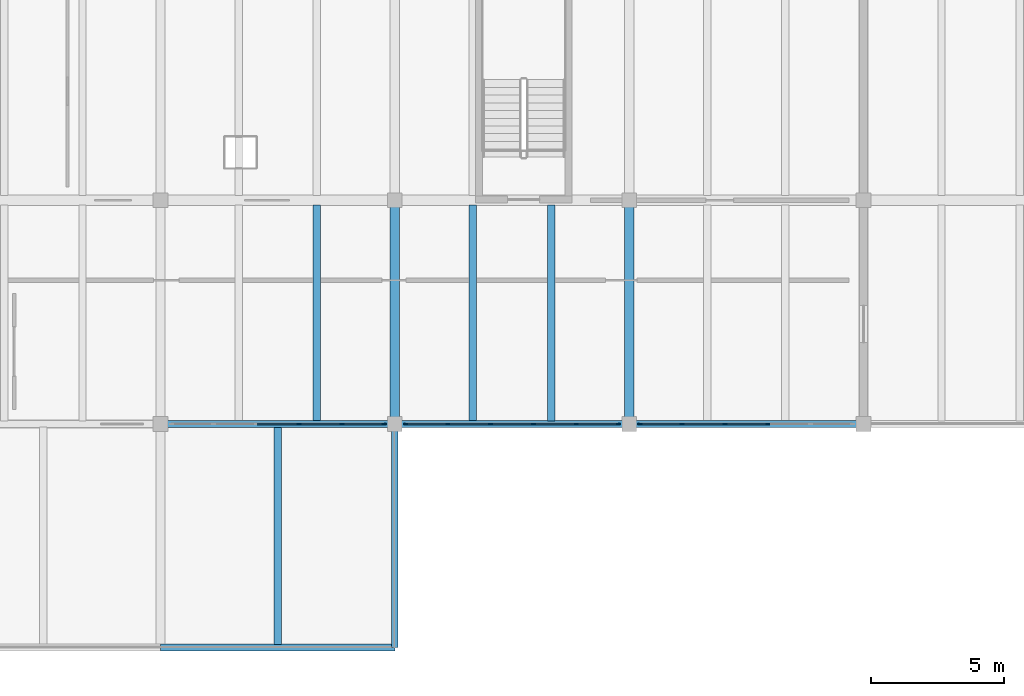
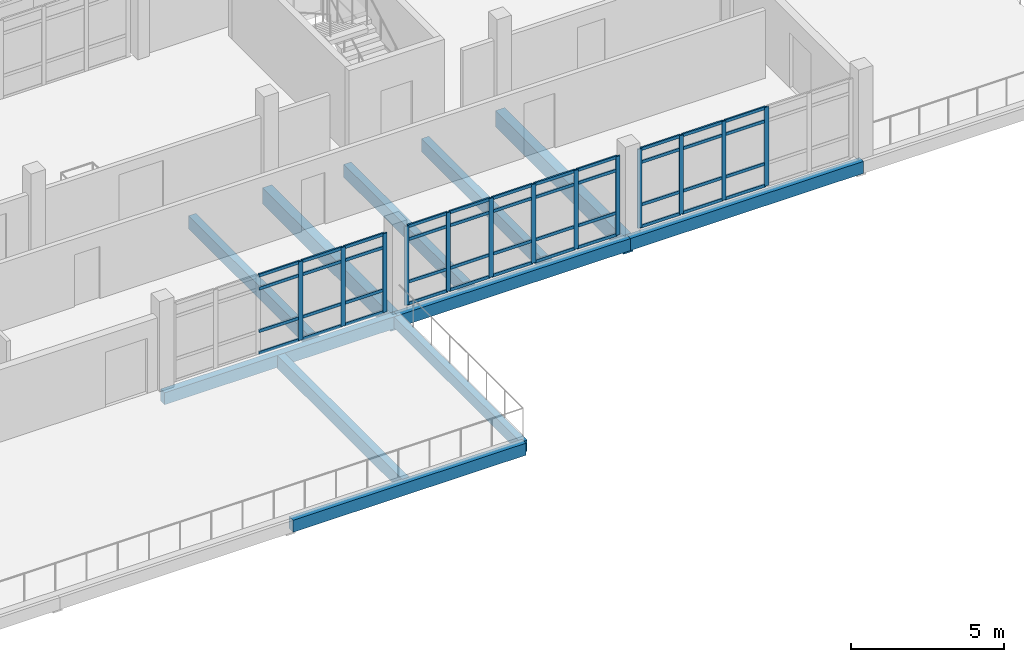
# One storey, part 15 of 30: 57 members, 11 beams, 3 elements without a shape of their own.
"""IFC4 building model written with IfcOpenShell, lengths in metres."""

from ifc_helpers import new_model, si_unit, direction, frame, origin, origin_2d, place, context, subcontext, project, spatial, rectangle, extrude, material, material_profile, profile_set, type_object, element, aggregate, save


model = new_model("IFC4")

# Units and contexts
model_context = context("Model", 3, precision=1e-05, world=origin(), true_north=direction((0.0, 1.0)))
body_context = subcontext(model_context, "Body", "Model", "MODEL_VIEW")
ifc_project = project(units=[si_unit("LENGTHUNIT", "METRE"), si_unit("AREAUNIT", "SQUARE_METRE"), si_unit("VOLUMEUNIT", "CUBIC_METRE"), si_unit("PLANEANGLEUNIT", "RADIAN"), si_unit("MASSUNIT", "GRAM", prefix="KILO")], contexts=[model_context])

# Site, building, storey
site_placement = place(None, origin())
site = spatial("IfcSite", under=ifc_project, at=site_placement, CompositionType="ELEMENT")
building_placement = place(site_placement, origin())
building = spatial("IfcBuilding", under=site, at=building_placement, Name="Cinderway Yard Community Centre", CompositionType="ELEMENT")
storey_placement = place(building_placement, frame((0.0, 0.0, 16.5)))
storey = spatial("IfcBuildingStorey", under=building, at=storey_placement, Name="L04", CompositionType="ELEMENT", Elevation=16.5)

# Curtain wall, members
ifc_material_1 = material(Name="Aluminium 6063-T6", Category="aluminium")
curtain_wall_type = type_object("IfcCurtainWallType", Name="ENV-CW-TYPE-33", PredefinedType="USERDEFINED", material=ifc_material_1)
curtain_wall_1_placement = place(storey_placement, origin())
curtain_wall_1 = element("IfcCurtainWall", 1, at=curtain_wall_1_placement, inside=storey, type_object=curtain_wall_type, Name="V4 Courtyard Curtain Wall ENV-CW-L04-ST-0184", ObjectType="GLAZED CURTAIN WALL", PredefinedType="USERDEFINED")
ifc_material_profile_1 = material_profile(ifc_material_1, rectangle(XDim=0.06005859375, YDim=0.159912109375, at=origin_2d()), Name="Aluminium 6063-T6")
ifc_profile_set_1 = profile_set([ifc_material_profile_1], Name="Aluminium 6063-T6")
member_type_1 = type_object("IfcMemberType", Name="ENV-CW-MULL-150", PredefinedType="MULLION", material=ifc_profile_set_1)
member_1_placement = place(storey_placement, frame((106.803955078125, 98.39990234375, 0.0), z_axis=(0.0, 0.0, 1.0), x_axis=(0.0, 1.0, 0.0)))
member_1 = element("IfcMember", 2, at=member_1_placement, type_object=member_type_1, Name="CW-33 mullion 4", PredefinedType="MULLION", context=body_context, shape_type="SweptSolid", body=[
    extrude(rectangle(XDim=0.06005859375, YDim=0.159912109375, at=origin_2d()), origin(), (0.0, 0.0, 1.0), 3.14990234375),
])
member_2_placement = place(storey_placement, frame((108.412109375, 98.39990234375, 0.0), z_axis=(0.0, 0.0, 1.0), x_axis=(0.0, 1.0, 0.0)))
member_2 = element("IfcMember", 3, at=member_2_placement, type_object=member_type_1, Name="CW-33 mullion 5", PredefinedType="MULLION", context=body_context, shape_type="SweptSolid", body=[
    extrude(rectangle(XDim=0.06005859375, YDim=0.159912109375, at=origin_2d()), origin(), (0.0, 0.0, 1.0), 3.14990234375),
])
member_3_placement = place(storey_placement, frame((109.989990234375, 98.39990234375, 0.0), z_axis=(0.0, 0.0, 1.0), x_axis=(0.0, 1.0, 0.0)))
member_3 = element("IfcMember", 4, at=member_3_placement, type_object=member_type_1, Name="CW-33 mullion 6", PredefinedType="MULLION", context=body_context, shape_type="SweptSolid", body=[
    extrude(rectangle(XDim=0.06005859375, YDim=0.159912109375, at=origin_2d()), origin(), (0.0, 0.0, 1.0), 3.14990234375),
])

curtain_wall_2_placement = place(storey_placement, origin())
curtain_wall_2 = element("IfcCurtainWall", 5, at=curtain_wall_2_placement, inside=storey, type_object=curtain_wall_type, Name="V4 Courtyard Curtain Wall ENV-CW-L04-ST-0185", ObjectType="GLAZED CURTAIN WALL", PredefinedType="USERDEFINED")
member_4_placement = place(storey_placement, frame((110.81005859375, 98.39990234375, 0.0), z_axis=(0.0, 0.0, 1.0), x_axis=(0.0, 1.0, 0.0)))
member_4 = element("IfcMember", 6, at=member_4_placement, type_object=member_type_1, Name="CW-33 mullion 1", PredefinedType="MULLION", context=body_context, shape_type="SweptSolid", body=[
    extrude(rectangle(XDim=0.06005859375, YDim=0.159912109375, at=origin_2d()), origin(), (0.0, 0.0, 1.0), 3.14990234375),
])
member_5_placement = place(storey_placement, frame((112.387939453125, 98.39990234375, 0.0), z_axis=(0.0, 0.0, 1.0), x_axis=(0.0, 1.0, 0.0)))
member_5 = element("IfcMember", 7, at=member_5_placement, type_object=member_type_1, Name="CW-33 mullion 2", PredefinedType="MULLION", context=body_context, shape_type="SweptSolid", body=[
    extrude(rectangle(XDim=0.06005859375, YDim=0.159912109375, at=origin_2d()), origin(), (0.0, 0.0, 1.0), 3.14990234375),
])
member_6_placement = place(storey_placement, frame((113.99609375, 98.39990234375, 0.0), z_axis=(0.0, 0.0, 1.0), x_axis=(0.0, 1.0, 0.0)))
member_6 = element("IfcMember", 8, at=member_6_placement, type_object=member_type_1, Name="CW-33 mullion 3", PredefinedType="MULLION", context=body_context, shape_type="SweptSolid", body=[
    extrude(rectangle(XDim=0.06005859375, YDim=0.159912109375, at=origin_2d()), origin(), (0.0, 0.0, 1.0), 3.14990234375),
])
member_7_placement = place(storey_placement, frame((115.60400390625, 98.39990234375, 0.0), z_axis=(0.0, 0.0, 1.0), x_axis=(0.0, 1.0, 0.0)))
member_7 = element("IfcMember", 9, at=member_7_placement, type_object=member_type_1, Name="CW-33 mullion 4", PredefinedType="MULLION", context=body_context, shape_type="SweptSolid", body=[
    extrude(rectangle(XDim=0.06005859375, YDim=0.159912109375, at=origin_2d()), origin(), (0.0, 0.0, 1.0), 3.14990234375),
])
member_8_placement = place(storey_placement, frame((117.2119140625, 98.39990234375, 0.0), z_axis=(0.0, 0.0, 1.0), x_axis=(0.0, 1.0, 0.0)))
member_8 = element("IfcMember", 10, at=member_8_placement, type_object=member_type_1, Name="CW-33 mullion 5", PredefinedType="MULLION", context=body_context, shape_type="SweptSolid", body=[
    extrude(rectangle(XDim=0.06005859375, YDim=0.159912109375, at=origin_2d()), origin(), (0.0, 0.0, 1.0), 3.14990234375),
])
member_9_placement = place(storey_placement, frame((118.7900390625, 98.39990234375, 0.0), z_axis=(0.0, 0.0, 1.0), x_axis=(0.0, 1.0, 0.0)))
member_9 = element("IfcMember", 11, at=member_9_placement, type_object=member_type_1, Name="CW-33 mullion 6", PredefinedType="MULLION", context=body_context, shape_type="SweptSolid", body=[
    extrude(rectangle(XDim=0.06005859375, YDim=0.159912109375, at=origin_2d()), origin(), (0.0, 0.0, 1.0), 3.14990234375),
])

curtain_wall_3_placement = place(storey_placement, origin())
curtain_wall_3 = element("IfcCurtainWall", 12, at=curtain_wall_3_placement, inside=storey, type_object=curtain_wall_type, Name="V4 Courtyard Curtain Wall ENV-CW-L04-ST-0187", ObjectType="GLAZED CURTAIN WALL", PredefinedType="USERDEFINED")
member_10_placement = place(storey_placement, frame((119.610107421875, 98.39990234375, 0.0), z_axis=(0.0, 0.0, 1.0), x_axis=(0.0, 1.0, 0.0)))
member_10 = element("IfcMember", 13, at=member_10_placement, type_object=member_type_1, Name="CW-33 mullion 1", PredefinedType="MULLION", context=body_context, shape_type="SweptSolid", body=[
    extrude(rectangle(XDim=0.06005859375, YDim=0.159912109375, at=origin_2d()), origin(), (0.0, 0.0, 1.0), 3.14990234375),
])
member_11_placement = place(storey_placement, frame((121.18798828125, 98.39990234375, 0.0), z_axis=(0.0, 0.0, 1.0), x_axis=(0.0, 1.0, 0.0)))
member_11 = element("IfcMember", 14, at=member_11_placement, type_object=member_type_1, Name="CW-33 mullion 2", PredefinedType="MULLION", context=body_context, shape_type="SweptSolid", body=[
    extrude(rectangle(XDim=0.06005859375, YDim=0.159912109375, at=origin_2d()), origin(), (0.0, 0.0, 1.0), 3.14990234375),
])
member_12_placement = place(storey_placement, frame((122.7958984375, 98.39990234375, 0.0), z_axis=(0.0, 0.0, 1.0), x_axis=(0.0, 1.0, 0.0)))
member_12 = element("IfcMember", 15, at=member_12_placement, type_object=member_type_1, Name="CW-33 mullion 3", PredefinedType="MULLION", context=body_context, shape_type="SweptSolid", body=[
    extrude(rectangle(XDim=0.06005859375, YDim=0.159912109375, at=origin_2d()), origin(), (0.0, 0.0, 1.0), 3.14990234375),
])
member_13_placement = place(storey_placement, frame((124.404052734375, 98.39990234375, 0.0), z_axis=(0.0, 0.0, 1.0), x_axis=(0.0, 1.0, 0.0)))
member_13 = element("IfcMember", 16, at=member_13_placement, type_object=member_type_1, Name="CW-33 mullion 4", PredefinedType="MULLION", context=body_context, shape_type="SweptSolid", body=[
    extrude(rectangle(XDim=0.06005859375, YDim=0.159912109375, at=origin_2d()), origin(), (0.0, 0.0, 1.0), 3.14990234375),
])

# Member
ifc_material_profile_2 = material_profile(ifc_material_1, rectangle(XDim=0.06005859375, YDim=0.1201171875, at=origin_2d()), Name="Aluminium 6063-T6")
ifc_profile_set_2 = profile_set([ifc_material_profile_2], Name="Aluminium 6063-T6")
member_type_2 = type_object("IfcMemberType", Name="ENV-CW-TRAN-110", PredefinedType="USERDEFINED", material=ifc_profile_set_2)
member_14_placement = place(storey_placement, frame((105.22607421875, 98.39990234375, 0.030029296875), z_axis=(1.0, 0.0, 0.0), x_axis=(0.0, 1.0, 0.0)))
member_14 = element("IfcMember", 17, at=member_14_placement, type_object=member_type_2, Name="CW-33 transom 3.1", ObjectType="TRANSOM", PredefinedType="USERDEFINED", context=body_context, shape_type="SweptSolid", body=[
    extrude(rectangle(XDim=0.06005859375, YDim=0.1201171875, at=origin_2d()), origin(), (0.0, 0.0, 1.0), 1.5478515625),
])

member_15_placement = place(storey_placement, frame((105.22607421875, 98.39990234375, 0.89990234375), z_axis=(1.0, 0.0, 0.0), x_axis=(0.0, 1.0, 0.0)))
member_15 = element("IfcMember", 18, at=member_15_placement, type_object=member_type_2, Name="CW-33 transom 3.2", ObjectType="TRANSOM", PredefinedType="USERDEFINED", context=body_context, shape_type="SweptSolid", body=[
    extrude(rectangle(XDim=0.06005859375, YDim=0.1201171875, at=origin_2d()), origin(), (0.0, 0.0, 1.0), 1.5478515625),
])

member_16_placement = place(storey_placement, frame((105.22607421875, 98.39990234375, 2.60009765625), z_axis=(1.0, 0.0, 0.0), x_axis=(0.0, 1.0, 0.0)))
member_16 = element("IfcMember", 19, at=member_16_placement, type_object=member_type_2, Name="CW-33 transom 3.3", ObjectType="TRANSOM", PredefinedType="USERDEFINED", context=body_context, shape_type="SweptSolid", body=[
    extrude(rectangle(XDim=0.06005859375, YDim=0.1201171875, at=origin_2d()), origin(), (0.0, 0.0, 1.0), 1.5478515625),
])

member_17_placement = place(storey_placement, frame((105.22607421875, 98.39990234375, 3.1201171875), z_axis=(1.0, 0.0, 0.0), x_axis=(0.0, 1.0, 0.0)))
member_17 = element("IfcMember", 20, at=member_17_placement, type_object=member_type_2, Name="CW-33 transom 3.4", ObjectType="TRANSOM", PredefinedType="USERDEFINED", context=body_context, shape_type="SweptSolid", body=[
    extrude(rectangle(XDim=0.06005859375, YDim=0.1201171875, at=origin_2d()), origin(), (0.0, 0.0, 1.0), 1.5478515625),
])

member_18_placement = place(storey_placement, frame((106.833984375, 98.39990234375, 0.030029296875), z_axis=(1.0, 0.0, 0.0), x_axis=(0.0, 1.0, 0.0)))
member_18 = element("IfcMember", 21, at=member_18_placement, type_object=member_type_2, Name="CW-33 transom 4.1", ObjectType="TRANSOM", PredefinedType="USERDEFINED", context=body_context, shape_type="SweptSolid", body=[
    extrude(rectangle(XDim=0.06005859375, YDim=0.1201171875, at=origin_2d()), origin(), (0.0, 0.0, 1.0), 1.548095703125),
])

member_19_placement = place(storey_placement, frame((106.833984375, 98.39990234375, 0.89990234375), z_axis=(1.0, 0.0, 0.0), x_axis=(0.0, 1.0, 0.0)))
member_19 = element("IfcMember", 22, at=member_19_placement, type_object=member_type_2, Name="CW-33 transom 4.2", ObjectType="TRANSOM", PredefinedType="USERDEFINED", context=body_context, shape_type="SweptSolid", body=[
    extrude(rectangle(XDim=0.06005859375, YDim=0.1201171875, at=origin_2d()), origin(), (0.0, 0.0, 1.0), 1.548095703125),
])

member_20_placement = place(storey_placement, frame((106.833984375, 98.39990234375, 2.60009765625), z_axis=(1.0, 0.0, 0.0), x_axis=(0.0, 1.0, 0.0)))
member_20 = element("IfcMember", 23, at=member_20_placement, type_object=member_type_2, Name="CW-33 transom 4.3", ObjectType="TRANSOM", PredefinedType="USERDEFINED", context=body_context, shape_type="SweptSolid", body=[
    extrude(rectangle(XDim=0.06005859375, YDim=0.1201171875, at=origin_2d()), origin(), (0.0, 0.0, 1.0), 1.548095703125),
])

member_21_placement = place(storey_placement, frame((106.833984375, 98.39990234375, 3.1201171875), z_axis=(1.0, 0.0, 0.0), x_axis=(0.0, 1.0, 0.0)))
member_21 = element("IfcMember", 24, at=member_21_placement, type_object=member_type_2, Name="CW-33 transom 4.4", ObjectType="TRANSOM", PredefinedType="USERDEFINED", context=body_context, shape_type="SweptSolid", body=[
    extrude(rectangle(XDim=0.06005859375, YDim=0.1201171875, at=origin_2d()), origin(), (0.0, 0.0, 1.0), 1.548095703125),
])

member_22_placement = place(storey_placement, frame((108.44189453125, 98.39990234375, 0.030029296875), z_axis=(1.0, 0.0, 0.0), x_axis=(0.0, 1.0, 0.0)))
member_22 = element("IfcMember", 25, at=member_22_placement, type_object=member_type_2, Name="CW-33 transom 5.1", ObjectType="TRANSOM", PredefinedType="USERDEFINED", context=body_context, shape_type="SweptSolid", body=[
    extrude(rectangle(XDim=0.06005859375, YDim=0.1201171875, at=origin_2d()), origin(), (0.0, 0.0, 1.0), 1.51806640625),
])

member_23_placement = place(storey_placement, frame((108.44189453125, 98.39990234375, 0.89990234375), z_axis=(1.0, 0.0, 0.0), x_axis=(0.0, 1.0, 0.0)))
member_23 = element("IfcMember", 26, at=member_23_placement, type_object=member_type_2, Name="CW-33 transom 5.2", ObjectType="TRANSOM", PredefinedType="USERDEFINED", context=body_context, shape_type="SweptSolid", body=[
    extrude(rectangle(XDim=0.06005859375, YDim=0.1201171875, at=origin_2d()), origin(), (0.0, 0.0, 1.0), 1.51806640625),
])

member_24_placement = place(storey_placement, frame((108.44189453125, 98.39990234375, 2.60009765625), z_axis=(1.0, 0.0, 0.0), x_axis=(0.0, 1.0, 0.0)))
member_24 = element("IfcMember", 27, at=member_24_placement, type_object=member_type_2, Name="CW-33 transom 5.3", ObjectType="TRANSOM", PredefinedType="USERDEFINED", context=body_context, shape_type="SweptSolid", body=[
    extrude(rectangle(XDim=0.06005859375, YDim=0.1201171875, at=origin_2d()), origin(), (0.0, 0.0, 1.0), 1.51806640625),
])

member_25_placement = place(storey_placement, frame((108.44189453125, 98.39990234375, 3.1201171875), z_axis=(1.0, 0.0, 0.0), x_axis=(0.0, 1.0, 0.0)))
member_25 = element("IfcMember", 28, at=member_25_placement, type_object=member_type_2, Name="CW-33 transom 5.4", ObjectType="TRANSOM", PredefinedType="USERDEFINED", context=body_context, shape_type="SweptSolid", body=[
    extrude(rectangle(XDim=0.06005859375, YDim=0.1201171875, at=origin_2d()), origin(), (0.0, 0.0, 1.0), 1.51806640625),
])

aggregate(curtain_wall_1, [member_1, member_2, member_3, member_14, member_15, member_16, member_17, member_18, member_19, member_20, member_21, member_22, member_23, member_24, member_25])

member_26_placement = place(storey_placement, frame((110.840087890625, 98.39990234375, 0.030029296875), z_axis=(1.0, 0.0, 0.0), x_axis=(0.0, 1.0, 0.0)))
member_26 = element("IfcMember", 29, at=member_26_placement, type_object=member_type_2, Name="CW-33 transom 1.1", ObjectType="TRANSOM", PredefinedType="USERDEFINED", context=body_context, shape_type="SweptSolid", body=[
    extrude(rectangle(XDim=0.06005859375, YDim=0.1201171875, at=origin_2d()), origin(), (0.0, 0.0, 1.0), 1.517822265625),
])

member_27_placement = place(storey_placement, frame((110.840087890625, 98.39990234375, 0.89990234375), z_axis=(1.0, 0.0, 0.0), x_axis=(0.0, 1.0, 0.0)))
member_27 = element("IfcMember", 30, at=member_27_placement, type_object=member_type_2, Name="CW-33 transom 1.2", ObjectType="TRANSOM", PredefinedType="USERDEFINED", context=body_context, shape_type="SweptSolid", body=[
    extrude(rectangle(XDim=0.06005859375, YDim=0.1201171875, at=origin_2d()), origin(), (0.0, 0.0, 1.0), 1.517822265625),
])

member_28_placement = place(storey_placement, frame((110.840087890625, 98.39990234375, 2.60009765625), z_axis=(1.0, 0.0, 0.0), x_axis=(0.0, 1.0, 0.0)))
member_28 = element("IfcMember", 31, at=member_28_placement, type_object=member_type_2, Name="CW-33 transom 1.3", ObjectType="TRANSOM", PredefinedType="USERDEFINED", context=body_context, shape_type="SweptSolid", body=[
    extrude(rectangle(XDim=0.06005859375, YDim=0.1201171875, at=origin_2d()), origin(), (0.0, 0.0, 1.0), 1.517822265625),
])

member_29_placement = place(storey_placement, frame((110.840087890625, 98.39990234375, 3.1201171875), z_axis=(1.0, 0.0, 0.0), x_axis=(0.0, 1.0, 0.0)))
member_29 = element("IfcMember", 32, at=member_29_placement, type_object=member_type_2, Name="CW-33 transom 1.4", ObjectType="TRANSOM", PredefinedType="USERDEFINED", context=body_context, shape_type="SweptSolid", body=[
    extrude(rectangle(XDim=0.06005859375, YDim=0.1201171875, at=origin_2d()), origin(), (0.0, 0.0, 1.0), 1.517822265625),
])

member_30_placement = place(storey_placement, frame((112.41796875, 98.39990234375, 0.030029296875), z_axis=(1.0, 0.0, 0.0), x_axis=(0.0, 1.0, 0.0)))
member_30 = element("IfcMember", 33, at=member_30_placement, type_object=member_type_2, Name="CW-33 transom 2.1", ObjectType="TRANSOM", PredefinedType="USERDEFINED", context=body_context, shape_type="SweptSolid", body=[
    extrude(rectangle(XDim=0.06005859375, YDim=0.1201171875, at=origin_2d()), origin(), (0.0, 0.0, 1.0), 1.548095703125),
])

member_31_placement = place(storey_placement, frame((112.41796875, 98.39990234375, 0.89990234375), z_axis=(1.0, 0.0, 0.0), x_axis=(0.0, 1.0, 0.0)))
member_31 = element("IfcMember", 34, at=member_31_placement, type_object=member_type_2, Name="CW-33 transom 2.2", ObjectType="TRANSOM", PredefinedType="USERDEFINED", context=body_context, shape_type="SweptSolid", body=[
    extrude(rectangle(XDim=0.06005859375, YDim=0.1201171875, at=origin_2d()), origin(), (0.0, 0.0, 1.0), 1.548095703125),
])

member_32_placement = place(storey_placement, frame((112.41796875, 98.39990234375, 2.60009765625), z_axis=(1.0, 0.0, 0.0), x_axis=(0.0, 1.0, 0.0)))
member_32 = element("IfcMember", 35, at=member_32_placement, type_object=member_type_2, Name="CW-33 transom 2.3", ObjectType="TRANSOM", PredefinedType="USERDEFINED", context=body_context, shape_type="SweptSolid", body=[
    extrude(rectangle(XDim=0.06005859375, YDim=0.1201171875, at=origin_2d()), origin(), (0.0, 0.0, 1.0), 1.548095703125),
])

member_33_placement = place(storey_placement, frame((112.41796875, 98.39990234375, 3.1201171875), z_axis=(1.0, 0.0, 0.0), x_axis=(0.0, 1.0, 0.0)))
member_33 = element("IfcMember", 36, at=member_33_placement, type_object=member_type_2, Name="CW-33 transom 2.4", ObjectType="TRANSOM", PredefinedType="USERDEFINED", context=body_context, shape_type="SweptSolid", body=[
    extrude(rectangle(XDim=0.06005859375, YDim=0.1201171875, at=origin_2d()), origin(), (0.0, 0.0, 1.0), 1.548095703125),
])

member_34_placement = place(storey_placement, frame((114.02587890625, 98.39990234375, 0.030029296875), z_axis=(1.0, 0.0, 0.0), x_axis=(0.0, 1.0, 0.0)))
member_34 = element("IfcMember", 37, at=member_34_placement, type_object=member_type_2, Name="CW-33 transom 3.1", ObjectType="TRANSOM", PredefinedType="USERDEFINED", context=body_context, shape_type="SweptSolid", body=[
    extrude(rectangle(XDim=0.06005859375, YDim=0.1201171875, at=origin_2d()), origin(), (0.0, 0.0, 1.0), 1.548095703125),
])

member_35_placement = place(storey_placement, frame((114.02587890625, 98.39990234375, 0.89990234375), z_axis=(1.0, 0.0, 0.0), x_axis=(0.0, 1.0, 0.0)))
member_35 = element("IfcMember", 38, at=member_35_placement, type_object=member_type_2, Name="CW-33 transom 3.2", ObjectType="TRANSOM", PredefinedType="USERDEFINED", context=body_context, shape_type="SweptSolid", body=[
    extrude(rectangle(XDim=0.06005859375, YDim=0.1201171875, at=origin_2d()), origin(), (0.0, 0.0, 1.0), 1.548095703125),
])

member_36_placement = place(storey_placement, frame((114.02587890625, 98.39990234375, 2.60009765625), z_axis=(1.0, 0.0, 0.0), x_axis=(0.0, 1.0, 0.0)))
member_36 = element("IfcMember", 39, at=member_36_placement, type_object=member_type_2, Name="CW-33 transom 3.3", ObjectType="TRANSOM", PredefinedType="USERDEFINED", context=body_context, shape_type="SweptSolid", body=[
    extrude(rectangle(XDim=0.06005859375, YDim=0.1201171875, at=origin_2d()), origin(), (0.0, 0.0, 1.0), 1.548095703125),
])

member_37_placement = place(storey_placement, frame((114.02587890625, 98.39990234375, 3.1201171875), z_axis=(1.0, 0.0, 0.0), x_axis=(0.0, 1.0, 0.0)))
member_37 = element("IfcMember", 40, at=member_37_placement, type_object=member_type_2, Name="CW-33 transom 3.4", ObjectType="TRANSOM", PredefinedType="USERDEFINED", context=body_context, shape_type="SweptSolid", body=[
    extrude(rectangle(XDim=0.06005859375, YDim=0.1201171875, at=origin_2d()), origin(), (0.0, 0.0, 1.0), 1.548095703125),
])

member_38_placement = place(storey_placement, frame((115.634033203125, 98.39990234375, 0.030029296875), z_axis=(1.0, 0.0, 0.0), x_axis=(0.0, 1.0, 0.0)))
member_38 = element("IfcMember", 41, at=member_38_placement, type_object=member_type_2, Name="CW-33 transom 4.1", ObjectType="TRANSOM", PredefinedType="USERDEFINED", context=body_context, shape_type="SweptSolid", body=[
    extrude(rectangle(XDim=0.06005859375, YDim=0.1201171875, at=origin_2d()), origin(), (0.0, 0.0, 1.0), 1.5478515625),
])

member_39_placement = place(storey_placement, frame((115.634033203125, 98.39990234375, 0.89990234375), z_axis=(1.0, 0.0, 0.0), x_axis=(0.0, 1.0, 0.0)))
member_39 = element("IfcMember", 42, at=member_39_placement, type_object=member_type_2, Name="CW-33 transom 4.2", ObjectType="TRANSOM", PredefinedType="USERDEFINED", context=body_context, shape_type="SweptSolid", body=[
    extrude(rectangle(XDim=0.06005859375, YDim=0.1201171875, at=origin_2d()), origin(), (0.0, 0.0, 1.0), 1.5478515625),
])

member_40_placement = place(storey_placement, frame((115.634033203125, 98.39990234375, 2.60009765625), z_axis=(1.0, 0.0, 0.0), x_axis=(0.0, 1.0, 0.0)))
member_40 = element("IfcMember", 43, at=member_40_placement, type_object=member_type_2, Name="CW-33 transom 4.3", ObjectType="TRANSOM", PredefinedType="USERDEFINED", context=body_context, shape_type="SweptSolid", body=[
    extrude(rectangle(XDim=0.06005859375, YDim=0.1201171875, at=origin_2d()), origin(), (0.0, 0.0, 1.0), 1.5478515625),
])

member_41_placement = place(storey_placement, frame((115.634033203125, 98.39990234375, 3.1201171875), z_axis=(1.0, 0.0, 0.0), x_axis=(0.0, 1.0, 0.0)))
member_41 = element("IfcMember", 44, at=member_41_placement, type_object=member_type_2, Name="CW-33 transom 4.4", ObjectType="TRANSOM", PredefinedType="USERDEFINED", context=body_context, shape_type="SweptSolid", body=[
    extrude(rectangle(XDim=0.06005859375, YDim=0.1201171875, at=origin_2d()), origin(), (0.0, 0.0, 1.0), 1.5478515625),
])

member_42_placement = place(storey_placement, frame((117.241943359375, 98.39990234375, 0.030029296875), z_axis=(1.0, 0.0, 0.0), x_axis=(0.0, 1.0, 0.0)))
member_42 = element("IfcMember", 45, at=member_42_placement, type_object=member_type_2, Name="CW-33 transom 5.1", ObjectType="TRANSOM", PredefinedType="USERDEFINED", context=body_context, shape_type="SweptSolid", body=[
    extrude(rectangle(XDim=0.06005859375, YDim=0.1201171875, at=origin_2d()), origin(), (0.0, 0.0, 1.0), 1.51806640625),
])

member_43_placement = place(storey_placement, frame((117.241943359375, 98.39990234375, 0.89990234375), z_axis=(1.0, 0.0, 0.0), x_axis=(0.0, 1.0, 0.0)))
member_43 = element("IfcMember", 46, at=member_43_placement, type_object=member_type_2, Name="CW-33 transom 5.2", ObjectType="TRANSOM", PredefinedType="USERDEFINED", context=body_context, shape_type="SweptSolid", body=[
    extrude(rectangle(XDim=0.06005859375, YDim=0.1201171875, at=origin_2d()), origin(), (0.0, 0.0, 1.0), 1.51806640625),
])

member_44_placement = place(storey_placement, frame((117.241943359375, 98.39990234375, 2.60009765625), z_axis=(1.0, 0.0, 0.0), x_axis=(0.0, 1.0, 0.0)))
member_44 = element("IfcMember", 47, at=member_44_placement, type_object=member_type_2, Name="CW-33 transom 5.3", ObjectType="TRANSOM", PredefinedType="USERDEFINED", context=body_context, shape_type="SweptSolid", body=[
    extrude(rectangle(XDim=0.06005859375, YDim=0.1201171875, at=origin_2d()), origin(), (0.0, 0.0, 1.0), 1.51806640625),
])

member_45_placement = place(storey_placement, frame((117.241943359375, 98.39990234375, 3.1201171875), z_axis=(1.0, 0.0, 0.0), x_axis=(0.0, 1.0, 0.0)))
member_45 = element("IfcMember", 48, at=member_45_placement, type_object=member_type_2, Name="CW-33 transom 5.4", ObjectType="TRANSOM", PredefinedType="USERDEFINED", context=body_context, shape_type="SweptSolid", body=[
    extrude(rectangle(XDim=0.06005859375, YDim=0.1201171875, at=origin_2d()), origin(), (0.0, 0.0, 1.0), 1.51806640625),
])

aggregate(curtain_wall_2, [member_4, member_5, member_6, member_7, member_8, member_9, member_26, member_27, member_28, member_29, member_30, member_31, member_32, member_33, member_34, member_35, member_36, member_37, member_38, member_39, member_40, member_41, member_42, member_43, member_44, member_45])

member_46_placement = place(storey_placement, frame((119.639892578125, 98.39990234375, 0.030029296875), z_axis=(1.0, 0.0, 0.0), x_axis=(0.0, 1.0, 0.0)))
member_46 = element("IfcMember", 49, at=member_46_placement, type_object=member_type_2, Name="CW-33 transom 1.1", ObjectType="TRANSOM", PredefinedType="USERDEFINED", context=body_context, shape_type="SweptSolid", body=[
    extrude(rectangle(XDim=0.06005859375, YDim=0.1201171875, at=origin_2d()), origin(), (0.0, 0.0, 1.0), 1.51806640625),
])

member_47_placement = place(storey_placement, frame((119.639892578125, 98.39990234375, 0.89990234375), z_axis=(1.0, 0.0, 0.0), x_axis=(0.0, 1.0, 0.0)))
member_47 = element("IfcMember", 50, at=member_47_placement, type_object=member_type_2, Name="CW-33 transom 1.2", ObjectType="TRANSOM", PredefinedType="USERDEFINED", context=body_context, shape_type="SweptSolid", body=[
    extrude(rectangle(XDim=0.06005859375, YDim=0.1201171875, at=origin_2d()), origin(), (0.0, 0.0, 1.0), 1.51806640625),
])

member_48_placement = place(storey_placement, frame((119.639892578125, 98.39990234375, 2.60009765625), z_axis=(1.0, 0.0, 0.0), x_axis=(0.0, 1.0, 0.0)))
member_48 = element("IfcMember", 51, at=member_48_placement, type_object=member_type_2, Name="CW-33 transom 1.3", ObjectType="TRANSOM", PredefinedType="USERDEFINED", context=body_context, shape_type="SweptSolid", body=[
    extrude(rectangle(XDim=0.06005859375, YDim=0.1201171875, at=origin_2d()), origin(), (0.0, 0.0, 1.0), 1.51806640625),
])

member_49_placement = place(storey_placement, frame((119.639892578125, 98.39990234375, 3.1201171875), z_axis=(1.0, 0.0, 0.0), x_axis=(0.0, 1.0, 0.0)))
member_49 = element("IfcMember", 52, at=member_49_placement, type_object=member_type_2, Name="CW-33 transom 1.4", ObjectType="TRANSOM", PredefinedType="USERDEFINED", context=body_context, shape_type="SweptSolid", body=[
    extrude(rectangle(XDim=0.06005859375, YDim=0.1201171875, at=origin_2d()), origin(), (0.0, 0.0, 1.0), 1.51806640625),
])

member_50_placement = place(storey_placement, frame((121.218017578125, 98.39990234375, 0.030029296875), z_axis=(1.0, 0.0, 0.0), x_axis=(0.0, 1.0, 0.0)))
member_50 = element("IfcMember", 53, at=member_50_placement, type_object=member_type_2, Name="CW-33 transom 2.1", ObjectType="TRANSOM", PredefinedType="USERDEFINED", context=body_context, shape_type="SweptSolid", body=[
    extrude(rectangle(XDim=0.06005859375, YDim=0.1201171875, at=origin_2d()), origin(), (0.0, 0.0, 1.0), 1.548095703125),
])

member_51_placement = place(storey_placement, frame((121.218017578125, 98.39990234375, 0.89990234375), z_axis=(1.0, 0.0, 0.0), x_axis=(0.0, 1.0, 0.0)))
member_51 = element("IfcMember", 54, at=member_51_placement, type_object=member_type_2, Name="CW-33 transom 2.2", ObjectType="TRANSOM", PredefinedType="USERDEFINED", context=body_context, shape_type="SweptSolid", body=[
    extrude(rectangle(XDim=0.06005859375, YDim=0.1201171875, at=origin_2d()), origin(), (0.0, 0.0, 1.0), 1.548095703125),
])

member_52_placement = place(storey_placement, frame((121.218017578125, 98.39990234375, 2.60009765625), z_axis=(1.0, 0.0, 0.0), x_axis=(0.0, 1.0, 0.0)))
member_52 = element("IfcMember", 55, at=member_52_placement, type_object=member_type_2, Name="CW-33 transom 2.3", ObjectType="TRANSOM", PredefinedType="USERDEFINED", context=body_context, shape_type="SweptSolid", body=[
    extrude(rectangle(XDim=0.06005859375, YDim=0.1201171875, at=origin_2d()), origin(), (0.0, 0.0, 1.0), 1.548095703125),
])

member_53_placement = place(storey_placement, frame((121.218017578125, 98.39990234375, 3.1201171875), z_axis=(1.0, 0.0, 0.0), x_axis=(0.0, 1.0, 0.0)))
member_53 = element("IfcMember", 56, at=member_53_placement, type_object=member_type_2, Name="CW-33 transom 2.4", ObjectType="TRANSOM", PredefinedType="USERDEFINED", context=body_context, shape_type="SweptSolid", body=[
    extrude(rectangle(XDim=0.06005859375, YDim=0.1201171875, at=origin_2d()), origin(), (0.0, 0.0, 1.0), 1.548095703125),
])

member_54_placement = place(storey_placement, frame((122.825927734375, 98.39990234375, 0.030029296875), z_axis=(1.0, 0.0, 0.0), x_axis=(0.0, 1.0, 0.0)))
member_54 = element("IfcMember", 57, at=member_54_placement, type_object=member_type_2, Name="CW-33 transom 3.1", ObjectType="TRANSOM", PredefinedType="USERDEFINED", context=body_context, shape_type="SweptSolid", body=[
    extrude(rectangle(XDim=0.06005859375, YDim=0.1201171875, at=origin_2d()), origin(), (0.0, 0.0, 1.0), 1.548095703125),
])

member_55_placement = place(storey_placement, frame((122.825927734375, 98.39990234375, 0.89990234375), z_axis=(1.0, 0.0, 0.0), x_axis=(0.0, 1.0, 0.0)))
member_55 = element("IfcMember", 58, at=member_55_placement, type_object=member_type_2, Name="CW-33 transom 3.2", ObjectType="TRANSOM", PredefinedType="USERDEFINED", context=body_context, shape_type="SweptSolid", body=[
    extrude(rectangle(XDim=0.06005859375, YDim=0.1201171875, at=origin_2d()), origin(), (0.0, 0.0, 1.0), 1.548095703125),
])

member_56_placement = place(storey_placement, frame((122.825927734375, 98.39990234375, 2.60009765625), z_axis=(1.0, 0.0, 0.0), x_axis=(0.0, 1.0, 0.0)))
member_56 = element("IfcMember", 59, at=member_56_placement, type_object=member_type_2, Name="CW-33 transom 3.3", ObjectType="TRANSOM", PredefinedType="USERDEFINED", context=body_context, shape_type="SweptSolid", body=[
    extrude(rectangle(XDim=0.06005859375, YDim=0.1201171875, at=origin_2d()), origin(), (0.0, 0.0, 1.0), 1.548095703125),
])

member_57_placement = place(storey_placement, frame((122.825927734375, 98.39990234375, 3.1201171875), z_axis=(1.0, 0.0, 0.0), x_axis=(0.0, 1.0, 0.0)))
member_57 = element("IfcMember", 60, at=member_57_placement, type_object=member_type_2, Name="CW-33 transom 3.4", ObjectType="TRANSOM", PredefinedType="USERDEFINED", context=body_context, shape_type="SweptSolid", body=[
    extrude(rectangle(XDim=0.06005859375, YDim=0.1201171875, at=origin_2d()), origin(), (0.0, 0.0, 1.0), 1.548095703125),
])

aggregate(curtain_wall_3, [member_10, member_11, member_12, member_13, member_46, member_47, member_48, member_49, member_50, member_51, member_52, member_53, member_54, member_55, member_56, member_57])

# Beams
ifc_material_2 = material(Name="Concrete C40/50", Category="concrete")
ifc_material_profile_3 = material_profile(ifc_material_2, rectangle(XDim=0.25, YDim=0.449951171875, at=origin_2d()), Name="Concrete C40/50")
ifc_profile_set_3 = profile_set([ifc_material_profile_3], Name="Concrete C40/50")
beam_type_1 = type_object("IfcBeamType", Name="STR-BM-RC250X450", PredefinedType="SPANDREL", material=ifc_profile_set_3)
beam_1_placement = place(storey_placement, frame((110.39990234375, 90.0, -0.445068359375), z_axis=(0.0, 1.0, 0.0), x_axis=(-1.0, 0.0, 0.0)))
element("IfcBeam", 61, at=beam_1_placement, inside=storey, type_object=beam_type_1, Name="Transverse girder STR-BM-L04-SP02-0916", PredefinedType="SPANDREL", context=body_context, shape_type="SweptSolid", body=[
    extrude(rectangle(XDim=0.25, YDim=0.449951171875, at=origin_2d()), origin(), (0.0, 0.0, 1.0), 8.39990234375),
])
ifc_material_profile_4 = material_profile(ifc_material_2, rectangle(XDim=0.260009765625, YDim=0.47998046875, at=origin_2d()), Name="Concrete C40/50")
ifc_profile_set_4 = profile_set([ifc_material_profile_4], Name="Concrete C40/50")
beam_type_2 = type_object("IfcBeamType", Name="STR-BM-RC260X480", PredefinedType="SPANDREL", material=ifc_profile_set_4)
beam_2_placement = place(storey_placement, frame((101.60009765625, 98.39990234375, -0.4599609375), z_axis=(1.0, 0.0, 0.0), x_axis=(0.0, 1.0, 0.0)))
element("IfcBeam", 62, at=beam_2_placement, inside=storey, type_object=beam_type_2, Name="Primary girder STR-BM-L04-SP01-0817", PredefinedType="SPANDREL", context=body_context, shape_type="SweptSolid", body=[
    extrude(rectangle(XDim=0.260009765625, YDim=0.47998046875, at=origin_2d()), origin(), (0.0, 0.0, 1.0), 8.7998046875),
])
for number, where, z_axis, x_axis, name in (
    (63, (110.39990234375, 98.39990234375, -0.4599609375), (1.0, 0.0, 0.0), (0.0, 1.0, 0.0), "Primary girder STR-BM-L04-SP01-0818"),
    (64, (119.199951171875, 98.39990234375, -0.4599609375), (1.0, 0.0, 0.0), (0.0, 1.0, 0.0), "Primary girder STR-BM-L04-SP01-0819"),
):
    element("IfcBeam", number, at=place(storey_placement, frame(where, z_axis=z_axis, x_axis=x_axis)), inside=storey, type_object=beam_type_2, Name=name, PredefinedType="SPANDREL", context=body_context, shape_type="SweptSolid", body=[
        extrude(rectangle(XDim=0.260009765625, YDim=0.47998046875, at=origin_2d()), origin(), (0.0, 0.0, 1.0), 8.800048828125),
    ])
beam_3_placement = place(storey_placement, frame((101.60009765625, 90.0, -0.4599609375), z_axis=(1.0, 0.0, 0.0), x_axis=(0.0, 1.0, 0.0)))
element("IfcBeam", 65, at=beam_3_placement, inside=storey, type_object=beam_type_2, Name="Primary girder STR-BM-L04-SP01-0910", PredefinedType="SPANDREL", context=body_context, shape_type="SweptSolid", body=[
    extrude(rectangle(XDim=0.260009765625, YDim=0.47998046875, at=origin_2d()), origin(), (0.0, 0.0, 1.0), 8.7998046875),
])
ifc_material_3 = material(Name="Concrete C35/45", Category="concrete")
ifc_material_profile_5 = material_profile(ifc_material_3, rectangle(XDim=0.280029296875, YDim=0.52001953125, at=origin_2d()), Name="Concrete C35/45")
ifc_profile_set_5 = profile_set([ifc_material_profile_5], Name="Concrete C35/45")
beam_type_3 = type_object("IfcBeamType", Name="STR-BM-RC280X520", PredefinedType="JOIST", material=ifc_profile_set_5)
for number, where, z_axis, x_axis, name in (
    (66, (107.467041015625, 98.511962890625, -0.47998046875), (0.0, 1.0, 0.0), (-1.0, 0.0, 0.0), "Secondary joist STR-BM-L04-BJ04-0892"),
    (67, (113.3330078125, 98.511962890625, -0.47998046875), (0.0, 1.0, 0.0), (-1.0, 0.0, 0.0), "Secondary joist STR-BM-L04-BJ04-0895"),
    (68, (116.26708984375, 98.511962890625, -0.47998046875), (0.0, 1.0, 0.0), (-1.0, 0.0, 0.0), "Secondary joist STR-BM-L04-BJ04-0896"),
):
    element("IfcBeam", number, at=place(storey_placement, frame(where, z_axis=z_axis, x_axis=x_axis)), inside=storey, type_object=beam_type_3, Name=name, PredefinedType="JOIST", context=body_context, shape_type="SweptSolid", body=[
        extrude(rectangle(XDim=0.280029296875, YDim=0.52001953125, at=origin_2d()), origin(), (0.0, 0.0, 1.0), 8.115966796875),
    ])
beam_4_placement = place(storey_placement, frame((106.0, 90.112060546875, -0.47998046875), z_axis=(0.0, 1.0, 0.0), x_axis=(-1.0, 0.0, 0.0)))
element("IfcBeam", 69, at=beam_4_placement, inside=storey, type_object=beam_type_3, Name="Secondary joist STR-BM-L04-BJ04-0921", PredefinedType="JOIST", context=body_context, shape_type="SweptSolid", body=[
    extrude(rectangle(XDim=0.280029296875, YDim=0.52001953125, at=origin_2d()), origin(), (0.0, 0.0, 1.0), 8.176025390625),
])
ifc_material_profile_6 = material_profile(ifc_material_3, rectangle(XDim=0.35009765625, YDim=0.64990234375, at=origin_2d()), Name="Concrete C35/45")
ifc_profile_set_6 = profile_set([ifc_material_profile_6], Name="Concrete C35/45")
beam_type_4 = type_object("IfcBeamType", Name="STR-BM-RC350X650", PredefinedType="BEAM", material=ifc_profile_set_6)
for number, where, z_axis, x_axis, name in (
    (70, (110.39990234375, 98.39990234375, -0.544921875), (0.0, 1.0, 0.0), (-1.0, 0.0, 0.0), "Transverse girder STR-BM-L04-BG08-0859"),
    (71, (119.199951171875, 98.39990234375, -0.544921875), (0.0, 1.0, 0.0), (-1.0, 0.0, 0.0), "Transverse girder STR-BM-L04-BG08-0861"),
):
    element("IfcBeam", number, at=place(storey_placement, frame(where, z_axis=z_axis, x_axis=x_axis)), inside=storey, type_object=beam_type_4, Name=name, PredefinedType="BEAM", context=body_context, shape_type="SweptSolid", body=[
        extrude(rectangle(XDim=0.35009765625, YDim=0.64990234375, at=origin_2d()), origin(), (0.0, 0.0, 1.0), 8.400146484375),
    ])

save(model, "model.ifc")
